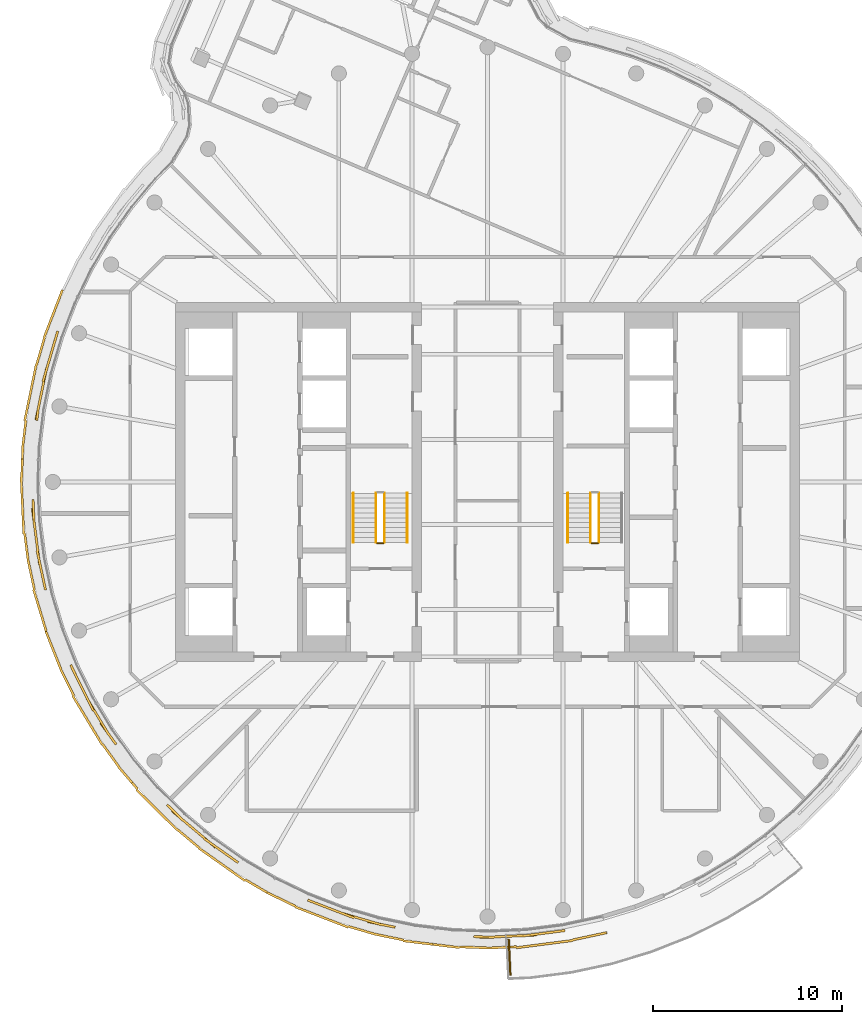
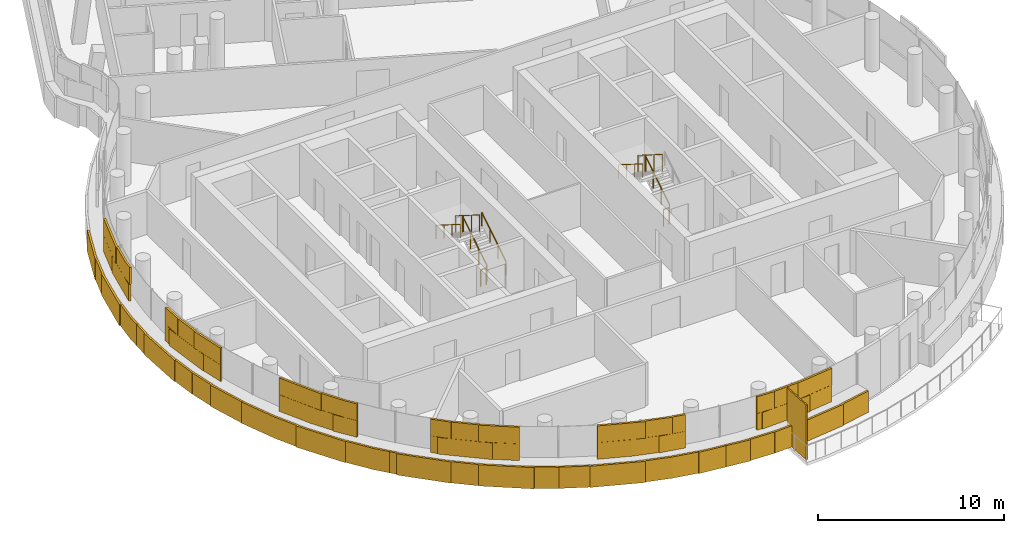
# One storey, part 16 of 20: 9 railings, 6 coverings, 1 shading device.
"""IFC4 building model written with IfcOpenShell, lengths in metres."""

from ifc_helpers import new_model, si_unit, direction, frame, origin, origin_2d, place, context, subcontext, project, spatial, rectangle, circle, extrude, material, layer, layer_set, type_object, element, save


model = new_model("IFC4")

# Units and contexts
model_context = context("Model", 3, precision=1e-05, world=origin(), true_north=direction((0.0, 1.0)))
body_context = subcontext(model_context, "Body", "Model", "MODEL_VIEW")
ifc_project = project(units=[si_unit("LENGTHUNIT", "METRE"), si_unit("AREAUNIT", "SQUARE_METRE"), si_unit("VOLUMEUNIT", "CUBIC_METRE"), si_unit("PLANEANGLEUNIT", "RADIAN"), si_unit("MASSUNIT", "GRAM", prefix="KILO")], contexts=[model_context])

# Site, building, storey
site_placement = place(None, origin())
site = spatial("IfcSite", under=ifc_project, at=site_placement, CompositionType="ELEMENT")
building_placement = place(site_placement, origin())
building = spatial("IfcBuilding", under=site, at=building_placement, Name="Tamarind Cross Interchange Tower", CompositionType="ELEMENT")
storey_placement = place(building_placement, frame((0.0, 0.0, 274.800048828125)))
storey = spatial("IfcBuildingStorey", under=building, at=storey_placement, Name="L70", CompositionType="ELEMENT", Elevation=274.800048828125)

# Shading device
ifc_material_1 = material(Name="Bronze-finish aluminium louvre", Category="aluminium")
ifc_layer_1 = layer(ifc_material_1, 0.080078125)
ifc_layer_set_1 = layer_set([ifc_layer_1], Name="Bronze-finish aluminium louvre")
shading_device_type = type_object("IfcShadingDeviceType", Name="Operable louvre bay", PredefinedType="JALOUSIE", material=ifc_layer_set_1)
shading_device_placement = place(storey_placement, origin())
element("IfcShadingDevice", 1, at=shading_device_placement, inside=storey, type_object=shading_device_type, Name="LVR-L70-BAL01", PredefinedType="JALOUSIE", context=body_context, shape_type="SweptSolid", body=[
    extrude(rectangle(XDim=1.89990234375, YDim=0.080078125, at=origin_2d()), frame((1.164794921875, -25.1484375, 0.0), z_axis=(0.0, 0.0, 1.0), x_axis=(0.045624486728, -0.998958660912, 0.0)), (0.0, 0.0, 1.0), 3.60009765625),
])

# Railings
ifc_material_2 = material(Name="Stair guard")
railing_type_1 = type_object("IfcRailingType", Name="Stair guard", PredefinedType="GUARDRAIL", material=ifc_material_2)
railing_1_placement = place(storey_placement, frame((-5.449951171875, -3.199951171875, 0.16357421875)))
element("IfcRailing", 2, at=railing_1_placement, inside=storey, type_object=railing_type_1, Name="L70 ST1 stair guard 1", PredefinedType="GUARDRAIL", context=body_context, shape_type="SweptSolid", body=[
    extrude(circle(Radius=0.02392578125, at=origin_2d()), frame((0.0, 0.0, 1.076171875), z_axis=(0.0, 0.846301844409, 0.532703658848), x_axis=(-1.0, 0.0, 0.0)), (0.0, 0.0, 1.0), 3.072021484375),
    extrude(circle(Radius=0.02099609375, at=origin_2d()), origin(), (0.0, 0.0, 1.0), 1.052001953125),
    extrude(circle(Radius=0.02099609375, at=origin_2d()), frame((0.0, 0.86669921875, 0.54541015625)), (0.0, 0.0, 1.0), 1.052001953125),
    extrude(circle(Radius=0.02099609375, at=origin_2d()), frame((0.0, 1.733154296875, 1.091064453125)), (0.0, 0.0, 1.0), 1.052001953125),
    extrude(circle(Radius=0.02099609375, at=origin_2d()), frame((0.0, 2.599853515625, 1.636474609375)), (0.0, 0.0, 1.0), 1.052001953125),
])
railing_2_placement = place(storey_placement, frame((-5.89990234375, -0.60009765625, 1.963623046875)))
element("IfcRailing", 3, at=railing_2_placement, inside=storey, type_object=railing_type_1, Name="L70 ST1 stair guard 3", PredefinedType="GUARDRAIL", context=body_context, shape_type="SweptSolid", body=[
    extrude(circle(Radius=0.02392578125, at=origin_2d()), frame((0.0, 0.0, 1.076171875), z_axis=(0.0, -0.846337672412, 0.532646734952), x_axis=(1.0, 0.0, 0.0)), (0.0, 0.0, 1.0), 3.07177734375),
    extrude(circle(Radius=0.02099609375, at=origin_2d()), origin(), (0.0, 0.0, 1.0), 1.052001953125),
    extrude(circle(Radius=0.02099609375, at=origin_2d()), frame((0.0, -0.86669921875, 0.54541015625)), (0.0, 0.0, 1.0), 1.052001953125),
    extrude(circle(Radius=0.02099609375, at=origin_2d()), frame((0.0, -1.733154296875, 1.0908203125)), (0.0, 0.0, 1.0), 1.052001953125),
    extrude(circle(Radius=0.02099609375, at=origin_2d()), frame((0.0, -2.599853515625, 1.63623046875)), (0.0, 0.0, 1.0), 1.052001953125),
])
railing_3_placement = place(storey_placement, frame((-5.5, -3.25, 0.0)))
element("IfcRailing", 4, at=railing_3_placement, inside=storey, type_object=railing_type_1, Name="L70 ST1 stair guard 4", PredefinedType="GUARDRAIL", context=body_context, shape_type="SweptSolid", body=[
    extrude(circle(Radius=0.02392578125, at=origin_2d()), frame((0.0, 0.0, 1.076171875), z_axis=(-1.0, 0.0, 0.0), x_axis=(0.0, -1.0, 0.0)), (0.0, 0.0, 1.0), 0.35009765625),
    extrude(circle(Radius=0.02099609375, at=origin_2d()), origin(), (0.0, 0.0, 1.0), 1.052001953125),
    extrude(circle(Radius=0.02099609375, at=origin_2d()), frame((-0.35009765625, 0.0, 0.0)), (0.0, 0.0, 1.0), 1.052001953125),
])
railing_4_placement = place(storey_placement, frame((5.89990234375, -3.199951171875, 0.16357421875)))
element("IfcRailing", 5, at=railing_4_placement, inside=storey, type_object=railing_type_1, Name="L70 ST2 stair guard 1", PredefinedType="GUARDRAIL", context=body_context, shape_type="SweptSolid", body=[
    extrude(circle(Radius=0.02392578125, at=origin_2d()), frame((0.0, 0.0, 1.076171875), z_axis=(0.0, 0.846301844409, 0.532703658848), x_axis=(-1.0, 0.0, 0.0)), (0.0, 0.0, 1.0), 3.072021484375),
    extrude(circle(Radius=0.02099609375, at=origin_2d()), origin(), (0.0, 0.0, 1.0), 1.052001953125),
    extrude(circle(Radius=0.02099609375, at=origin_2d()), frame((0.0, 0.86669921875, 0.54541015625)), (0.0, 0.0, 1.0), 1.052001953125),
    extrude(circle(Radius=0.02099609375, at=origin_2d()), frame((0.0, 1.733154296875, 1.091064453125)), (0.0, 0.0, 1.0), 1.052001953125),
    extrude(circle(Radius=0.02099609375, at=origin_2d()), frame((0.0, 2.599853515625, 1.636474609375)), (0.0, 0.0, 1.0), 1.052001953125),
])
railing_5_placement = place(storey_placement, frame((5.449951171875, -0.60009765625, 1.963623046875)))
element("IfcRailing", 6, at=railing_5_placement, inside=storey, type_object=railing_type_1, Name="L70 ST2 stair guard 3", PredefinedType="GUARDRAIL", context=body_context, shape_type="SweptSolid", body=[
    extrude(circle(Radius=0.02392578125, at=origin_2d()), frame((0.0, 0.0, 1.076171875), z_axis=(0.0, -0.846337672412, 0.532646734952), x_axis=(1.0, 0.0, 0.0)), (0.0, 0.0, 1.0), 3.07177734375),
    extrude(circle(Radius=0.02099609375, at=origin_2d()), origin(), (0.0, 0.0, 1.0), 1.052001953125),
    extrude(circle(Radius=0.02099609375, at=origin_2d()), frame((0.0, -0.86669921875, 0.54541015625)), (0.0, 0.0, 1.0), 1.052001953125),
    extrude(circle(Radius=0.02099609375, at=origin_2d()), frame((0.0, -1.733154296875, 1.0908203125)), (0.0, 0.0, 1.0), 1.052001953125),
    extrude(circle(Radius=0.02099609375, at=origin_2d()), frame((0.0, -2.599853515625, 1.63623046875)), (0.0, 0.0, 1.0), 1.052001953125),
])
railing_6_placement = place(storey_placement, frame((5.85009765625, -3.25, 0.0)))
element("IfcRailing", 7, at=railing_6_placement, inside=storey, type_object=railing_type_1, Name="L70 ST2 stair guard 4", PredefinedType="GUARDRAIL", context=body_context, shape_type="SweptSolid", body=[
    extrude(circle(Radius=0.02392578125, at=origin_2d()), frame((0.0, 0.0, 1.076171875), z_axis=(-1.0, 0.0, 0.0), x_axis=(0.0, -1.0, 0.0)), (0.0, 0.0, 1.0), 0.35009765625),
    extrude(circle(Radius=0.02099609375, at=origin_2d()), origin(), (0.0, 0.0, 1.0), 1.052001953125),
    extrude(circle(Radius=0.02099609375, at=origin_2d()), frame((-0.35009765625, 0.0, 0.0)), (0.0, 0.0, 1.0), 1.052001953125),
])
ifc_material_3 = material(Name="Stair handrail")
railing_type_2 = type_object("IfcRailingType", Name="Stair handrail", PredefinedType="HANDRAIL", material=ifc_material_3)
railing_7_placement = place(storey_placement, frame((-4.25, -3.199951171875, 0.16357421875)))
element("IfcRailing", 8, at=railing_7_placement, inside=storey, type_object=railing_type_2, Name="L70 ST1 stair handrail 1", PredefinedType="HANDRAIL", context=body_context, shape_type="SweptSolid", body=[
    extrude(circle(Radius=0.02392578125, at=origin_2d()), frame((0.0, 0.0, 0.8759765625), z_axis=(0.0, 0.846301844409, 0.532703658848), x_axis=(-1.0, 0.0, 0.0)), (0.0, 0.0, 1.0), 3.072021484375),
    extrude(circle(Radius=0.02099609375, at=origin_2d()), origin(), (0.0, 0.0, 1.0), 0.851806640625),
    extrude(circle(Radius=0.02099609375, at=origin_2d()), frame((0.0, 0.86669921875, 0.54541015625)), (0.0, 0.0, 1.0), 0.851806640625),
    extrude(circle(Radius=0.02099609375, at=origin_2d()), frame((0.0, 1.733154296875, 1.091064453125)), (0.0, 0.0, 1.0), 0.851806640625),
    extrude(circle(Radius=0.02099609375, at=origin_2d()), frame((0.0, 2.599853515625, 1.636474609375)), (0.0, 0.0, 1.0), 0.851806640625),
])
for number, where, name in (
    (9, (-7.10009765625, -0.60009765625, 1.963623046875), "L70 ST1 stair handrail 2"),
    (10, (4.25, -0.60009765625, 1.963623046875), "L70 ST2 stair handrail 2"),
):
    element("IfcRailing", number, at=place(storey_placement, frame(where)), inside=storey, type_object=railing_type_2, Name=name, PredefinedType="HANDRAIL", context=body_context, shape_type="SweptSolid", body=[
        extrude(circle(Radius=0.02392578125, at=origin_2d()), frame((0.0, 0.0, 0.8759765625), z_axis=(0.0, -0.846337672412, 0.532646734952), x_axis=(1.0, 0.0, 0.0)), (0.0, 0.0, 1.0), 3.07177734375),
        extrude(circle(Radius=0.02099609375, at=origin_2d()), origin(), (0.0, 0.0, 1.0), 0.851806640625),
        extrude(circle(Radius=0.02099609375, at=origin_2d()), frame((0.0, -0.86669921875, 0.54541015625)), (0.0, 0.0, 1.0), 0.851806640625),
        extrude(circle(Radius=0.02099609375, at=origin_2d()), frame((0.0, -1.733154296875, 1.0908203125)), (0.0, 0.0, 1.0), 0.851806640625),
        extrude(circle(Radius=0.02099609375, at=origin_2d()), frame((0.0, -2.599853515625, 1.63623046875)), (0.0, 0.0, 1.0), 0.851806640625),
    ])

# Coverings
ifc_material_4 = material(Name="Terracotta", Category="masonry")
ifc_layer_2 = layer(ifc_material_4, 0.1201171875)
ifc_layer_set_2 = layer_set([ifc_layer_2], Name="Terracotta")
covering_type = type_object("IfcCoveringType", Name="Terracotta baguette screen unit", PredefinedType="MOLDING", material=ifc_layer_set_2)
covering_1_placement = place(storey_placement, origin())
element("IfcCovering", 11, at=covering_1_placement, inside=storey, type_object=covering_type, Name="SCR-L70-01-02", PredefinedType="MOLDING", context=body_context, shape_type="SweptSolid", body=[
    extrude(rectangle(XDim=0.539306640625, YDim=0.1201171875, at=origin_2d()), frame((-22.816162109375, 7.71630859375, 1.40380859375), z_axis=(0.0, 0.0, 1.0), x_axis=(-0.281208920763, -0.95964657186, 0.0)), (0.0, 0.0, 1.0), 1.092041015625),
    extrude(rectangle(XDim=1.52001953125, YDim=0.1201171875, at=origin_2d()), frame((-23.1015625, 6.74267578125, 1.40380859375), z_axis=(0.0, 0.0, 1.0), x_axis=(-0.281208920763, -0.95964657186, 0.0)), (0.0, 0.0, 1.0), 1.092041015625),
    extrude(rectangle(XDim=1.52001953125, YDim=0.1201171875, at=origin_2d()), frame((-23.48095703125, 5.292724609375, 1.40380859375), z_axis=(0.0, 0.0, 1.0), x_axis=(-0.201001463943, -0.9795909409, 0.0)), (0.0, 0.0, 1.0), 1.092041015625),
    extrude(rectangle(XDim=1.323486328125, YDim=0.1201171875, at=origin_2d()), frame((-23.763671875, 3.914794921875, 1.40380859375), z_axis=(0.0, 0.0, 1.0), x_axis=(-0.201001463943, -0.9795909409, 0.0)), (0.0, 0.0, 1.0), 1.092041015625),
    extrude(rectangle(XDim=1.289306640625, YDim=0.1201171875, at=origin_2d()), frame((-22.921630859375, 7.3564453125, 2.50390625), z_axis=(0.0, 0.0, 1.0), x_axis=(-0.281208920763, -0.95964657186, 0.0)), (0.0, 0.0, 1.0), 1.092041015625),
    extrude(rectangle(XDim=1.52001953125, YDim=0.1201171875, at=origin_2d()), frame((-23.3125, 6.02294921875, 2.50390625), z_axis=(0.0, 0.0, 1.0), x_axis=(-0.281208920763, -0.95964657186, 0.0)), (0.0, 0.0, 1.0), 1.092041015625),
    extrude(rectangle(XDim=1.52001953125, YDim=0.1201171875, at=origin_2d()), frame((-23.631591796875, 4.55810546875, 2.50390625), z_axis=(0.0, 0.0, 1.0), x_axis=(-0.201001463943, -0.9795909409, 0.0)), (0.0, 0.0, 1.0), 1.092041015625),
    extrude(rectangle(XDim=0.573486328125, YDim=0.1201171875, at=origin_2d()), frame((-23.812744140625, 3.54296875, 2.50390625), z_axis=(0.0, 0.0, 1.0), x_axis=(-0.119420963295, -0.992843710523, 0.0)), (0.0, 0.0, 1.0), 1.092041015625),
    extrude(rectangle(XDim=1.22216796875, YDim=0.1201171875, at=origin_2d()), frame((-22.710205078125, 9.589599609375, 0.00390625), z_axis=(0.0, 0.0, 1.0), x_axis=(-0.359495435512, -0.933146843667, 0.0)), (0.0, 0.0, 1.0), 1.39208984375),
    extrude(rectangle(XDim=1.52001953125, YDim=0.1201171875, at=origin_2d()), frame((-23.196044921875, 8.328857421875, 0.00390625), z_axis=(0.0, 0.0, 1.0), x_axis=(-0.359495435512, -0.933146843667, 0.0)), (0.0, 0.0, 1.0), 1.39208984375),
    extrude(rectangle(XDim=1.52001953125, YDim=0.1201171875, at=origin_2d()), frame((-23.6533203125, 6.9013671875, 0.00390625), z_axis=(0.0, 0.0, 1.0), x_axis=(-0.281208920763, -0.95964657186, 0.0)), (0.0, 0.0, 1.0), 1.39208984375),
    extrude(rectangle(XDim=1.52001953125, YDim=0.1201171875, at=origin_2d()), frame((-24.0341796875, 5.45166015625, 0.00390625), z_axis=(0.0, 0.0, 1.0), x_axis=(-0.201001463943, -0.9795909409, 0.0)), (0.0, 0.0, 1.0), 1.39208984375),
    extrude(rectangle(XDim=1.52001953125, YDim=0.1201171875, at=origin_2d()), frame((-24.335693359375, 3.982421875, 0.00390625), z_axis=(0.0, 0.0, 1.0), x_axis=(-0.201001463943, -0.9795909409, 0.0)), (0.0, 0.0, 1.0), 1.39208984375),
    extrude(rectangle(XDim=1.52001953125, YDim=0.1201171875, at=origin_2d()), frame((-24.51708984375, 2.493408203125, 0.00390625), z_axis=(0.0, 0.0, 1.0), x_axis=(-0.119420963295, -0.992843710523, 0.0)), (0.0, 0.0, 1.0), 1.39208984375),
    extrude(rectangle(XDim=0.55615234375, YDim=0.1201171875, at=origin_2d()), frame((-24.6015625, 1.479736328125, 0.00390625), z_axis=(0.0, 0.0, 1.0), x_axis=(-0.037024696392, -0.999314350871, 0.0)), (0.0, 0.0, 1.0), 1.39208984375),
])
covering_2_placement = place(storey_placement, origin())
element("IfcCovering", 12, at=covering_2_placement, inside=storey, type_object=covering_type, Name="SCR-L70-01-03", PredefinedType="MOLDING", context=body_context, shape_type="SweptSolid", body=[
    extrude(rectangle(XDim=0.49658203125, YDim=0.1201171875, at=origin_2d()), frame((-24.037109375, -1.16748046875, 1.40380859375), z_axis=(0.0, 0.0, 1.0), x_axis=(0.045624486728, -0.998958660912, 0.0)), (0.0, 0.0, 1.0), 1.092041015625),
    extrude(rectangle(XDim=1.52001953125, YDim=0.1201171875, at=origin_2d()), frame((-23.986328125, -2.1591796875, 1.40380859375), z_axis=(0.0, 0.0, 1.0), x_axis=(0.127962008342, -0.991779070368, 0.0)), (0.0, 0.0, 1.0), 1.092041015625),
    extrude(rectangle(XDim=1.52001953125, YDim=0.1201171875, at=origin_2d()), frame((-23.79443359375, -3.64697265625, 1.40380859375), z_axis=(0.0, 0.0, 1.0), x_axis=(0.127962008342, -0.991779070368, 0.0)), (0.0, 0.0, 1.0), 1.092041015625),
    extrude(rectangle(XDim=1.36669921875, YDim=0.1201171875, at=origin_2d()), frame((-23.52978515625, -5.049560546875, 1.40380859375), z_axis=(0.0, 0.0, 1.0), x_axis=(0.209425419705, -0.977824623121, 0.0)), (0.0, 0.0, 1.0), 1.092041015625),
    extrude(rectangle(XDim=1.24658203125, YDim=0.1201171875, at=origin_2d()), frame((-24.02001953125, -1.5419921875, 2.50390625), z_axis=(0.0, 0.0, 1.0), x_axis=(0.045624486728, -0.998958660912, 0.0)), (0.0, 0.0, 1.0), 1.092041015625),
    extrude(rectangle(XDim=1.52001953125, YDim=0.1201171875, at=origin_2d()), frame((-23.890380859375, -2.903076171875, 2.50390625), z_axis=(0.0, 0.0, 1.0), x_axis=(0.127962008342, -0.991779070368, 0.0)), (0.0, 0.0, 1.0), 1.092041015625),
    extrude(rectangle(XDim=1.52001953125, YDim=0.1201171875, at=origin_2d()), frame((-23.671875, -4.38623046875, 2.50390625), z_axis=(0.0, 0.0, 1.0), x_axis=(0.209425419705, -0.977824623121, 0.0)), (0.0, 0.0, 1.0), 1.092041015625),
    extrude(rectangle(XDim=0.61669921875, YDim=0.1201171875, at=origin_2d()), frame((-23.451171875, -5.416259765625, 2.50390625), z_axis=(0.0, 0.0, 1.0), x_axis=(0.209425419705, -0.977824623121, 0.0)), (0.0, 0.0, 1.0), 1.092041015625),
    extrude(rectangle(XDim=0.9638671875, YDim=0.1201171875, at=origin_2d()), frame((-24.629638671875, 0.72021484375, 0.00390625), z_axis=(0.0, 0.0, 1.0), x_axis=(-0.037024696392, -0.999314350871, 0.0)), (0.0, 0.0, 1.0), 1.39208984375),
    extrude(rectangle(XDim=1.52001953125, YDim=0.1201171875, at=origin_2d()), frame((-24.642333984375, -0.500732421875, 0.00390625), z_axis=(0.0, 0.0, 1.0), x_axis=(0.045624486728, -0.998958660912, 0.0)), (0.0, 0.0, 1.0), 1.39208984375),
    extrude(rectangle(XDim=1.52001953125, YDim=0.1201171875, at=origin_2d()), frame((-24.57373046875, -1.9990234375, 0.00390625), z_axis=(0.0, 0.0, 1.0), x_axis=(0.045624486728, -0.998958660912, 0.0)), (0.0, 0.0, 1.0), 1.39208984375),
    extrude(rectangle(XDim=1.52001953125, YDim=0.1201171875, at=origin_2d()), frame((-24.393798828125, -3.48779296875, 0.00390625), z_axis=(0.0, 0.0, 1.0), x_axis=(0.127962008342, -0.991779070368, 0.0)), (0.0, 0.0, 1.0), 1.39208984375),
    extrude(rectangle(XDim=1.52001953125, YDim=0.1201171875, at=origin_2d()), frame((-24.135009765625, -4.964111328125, 0.00390625), z_axis=(0.0, 0.0, 1.0), x_axis=(0.209425419705, -0.977824623121, 0.0)), (0.0, 0.0, 1.0), 1.39208984375),
    extrude(rectangle(XDim=1.52001953125, YDim=0.1201171875, at=origin_2d()), frame((-23.798583984375, -6.425048828125, 0.00390625), z_axis=(0.0, 0.0, 1.0), x_axis=(0.289458243079, -0.957190642199, 0.0)), (0.0, 0.0, 1.0), 1.39208984375),
    extrude(rectangle(XDim=0.815185546875, YDim=0.1201171875, at=origin_2d()), frame((-23.46630859375, -7.5234375, 0.00390625), z_axis=(0.0, 0.0, 1.0), x_axis=(0.289458243079, -0.957190642199, 0.0)), (0.0, 0.0, 1.0), 1.39208984375),
])
covering_3_placement = place(storey_placement, origin())
element("IfcCovering", 13, at=covering_3_placement, inside=storey, type_object=covering_type, Name="SCR-L70-01-04", PredefinedType="MOLDING", context=body_context, shape_type="SweptSolid", body=[
    extrude(rectangle(XDim=0.453369140625, YDim=0.1201171875, at=origin_2d()), frame((-21.95654296875, -9.889404296875, 1.40380859375), z_axis=(0.0, 0.0, 1.0), x_axis=(0.443058811505, -0.896492548518, 0.0)), (0.0, 0.0, 1.0), 1.092041015625),
    extrude(rectangle(XDim=1.52001953125, YDim=0.1201171875, at=origin_2d()), frame((-21.526123046875, -10.760498046875, 1.40380859375), z_axis=(0.0, 0.0, 1.0), x_axis=(0.443058811505, -0.896492548518, 0.0)), (0.0, 0.0, 1.0), 1.092041015625),
    extrude(rectangle(XDim=1.52001953125, YDim=0.1201171875, at=origin_2d()), frame((-20.81689453125, -12.080810546875, 1.40380859375), z_axis=(0.0, 0.0, 1.0), x_axis=(0.515577308909, -0.856843065292, 0.0)), (0.0, 0.0, 1.0), 1.092041015625),
    extrude(rectangle(XDim=1.409423828125, YDim=0.1201171875, at=origin_2d()), frame((-20.064453125, -13.319580078125, 1.40380859375), z_axis=(0.0, 0.0, 1.0), x_axis=(0.584573890505, -0.811340475102, 0.0)), (0.0, 0.0, 1.0), 1.092041015625),
    extrude(rectangle(XDim=1.203369140625, YDim=0.1201171875, at=origin_2d()), frame((-21.79052734375, -10.2255859375, 2.50390625), z_axis=(0.0, 0.0, 1.0), x_axis=(0.443058811505, -0.896492548518, 0.0)), (0.0, 0.0, 1.0), 1.092041015625),
    extrude(rectangle(XDim=1.52001953125, YDim=0.1201171875, at=origin_2d()), frame((-21.19384765625, -11.432861328125, 2.50390625), z_axis=(0.0, 0.0, 1.0), x_axis=(0.443058811505, -0.896492548518, 0.0)), (0.0, 0.0, 1.0), 1.092041015625),
    extrude(rectangle(XDim=1.52001953125, YDim=0.1201171875, at=origin_2d()), frame((-20.43017578125, -12.723388671875, 2.50390625), z_axis=(0.0, 0.0, 1.0), x_axis=(0.515577308909, -0.856843065292, 0.0)), (0.0, 0.0, 1.0), 1.092041015625),
    extrude(rectangle(XDim=0.659423828125, YDim=0.1201171875, at=origin_2d()), frame((-19.84521484375, -13.6240234375, 2.50390625), z_axis=(0.0, 0.0, 1.0), x_axis=(0.584573890505, -0.811340475102, 0.0)), (0.0, 0.0, 1.0), 1.092041015625),
    extrude(rectangle(XDim=0.704833984375, YDim=0.1201171875, at=origin_2d()), frame((-23.234619140625, -8.246826171875, 0.00390625), z_axis=(0.0, 0.0, 1.0), x_axis=(0.367513773146, -0.930018078613, 0.0)), (0.0, 0.0, 1.0), 1.39208984375),
    extrude(rectangle(XDim=1.52001953125, YDim=0.1201171875, at=origin_2d()), frame((-22.833251953125, -9.262939453125, 0.00390625), z_axis=(0.0, 0.0, 1.0), x_axis=(0.367513773146, -0.930018078613, 0.0)), (0.0, 0.0, 1.0), 1.39208984375),
    extrude(rectangle(XDim=1.52001953125, YDim=0.1201171875, at=origin_2d()), frame((-22.228759765625, -10.63427734375, 0.00390625), z_axis=(0.0, 0.0, 1.0), x_axis=(0.443058811505, -0.896492548518, 0.0)), (0.0, 0.0, 1.0), 1.39208984375),
    extrude(rectangle(XDim=1.52001953125, YDim=0.1201171875, at=origin_2d()), frame((-21.552001953125, -11.972412109375, 0.00390625), z_axis=(0.0, 0.0, 1.0), x_axis=(0.515577308909, -0.856843065292, 0.0)), (0.0, 0.0, 1.0), 1.39208984375),
    extrude(rectangle(XDim=1.52001953125, YDim=0.1201171875, at=origin_2d()), frame((-20.77880859375, -13.2578125, 0.00390625), z_axis=(0.0, 0.0, 1.0), x_axis=(0.515577308909, -0.856843065292, 0.0)), (0.0, 0.0, 1.0), 1.39208984375),
    extrude(rectangle(XDim=1.52001953125, YDim=0.1201171875, at=origin_2d()), frame((-19.927490234375, -14.49169921875, 0.00390625), z_axis=(0.0, 0.0, 1.0), x_axis=(0.584573890505, -0.811340475102, 0.0)), (0.0, 0.0, 1.0), 1.39208984375),
    extrude(rectangle(XDim=1.073486328125, YDim=0.1201171875, at=origin_2d()), frame((-19.157470703125, -15.5087890625, 0.00390625), z_axis=(0.0, 0.0, 1.0), x_axis=(0.64957723968, -0.760295606781, 0.0)), (0.0, 0.0, 1.0), 1.39208984375),
])
covering_4_placement = place(storey_placement, origin())
element("IfcCovering", 14, at=covering_4_placement, inside=storey, type_object=covering_type, Name="SCR-L70-01-05", PredefinedType="MOLDING", context=body_context, shape_type="SweptSolid", body=[
    extrude(rectangle(XDim=0.41064453125, YDim=0.1201171875, at=origin_2d()), frame((-16.80419921875, -17.22802734375, 1.40380859375), z_axis=(0.0, 0.0, 1.0), x_axis=(0.710143317658, -0.704057148523, 0.0)), (0.0, 0.0, 1.0), 1.092041015625),
    extrude(rectangle(XDim=1.52001953125, YDim=0.1201171875, at=origin_2d()), frame((-16.120849609375, -17.887939453125, 1.40380859375), z_axis=(0.0, 0.0, 1.0), x_axis=(0.765858396687, -0.643009266048, 0.0)), (0.0, 0.0, 1.0), 1.092041015625),
    extrude(rectangle(XDim=1.52001953125, YDim=0.1201171875, at=origin_2d()), frame((-14.97216796875, -18.852294921875, 1.40380859375), z_axis=(0.0, 0.0, 1.0), x_axis=(0.765858396687, -0.643009266048, 0.0)), (0.0, 0.0, 1.0), 1.092041015625),
    extrude(rectangle(XDim=1.45263671875, YDim=0.1201171875, at=origin_2d()), frame((-13.7880859375, -19.724365234375, 1.40380859375), z_axis=(0.0, 0.0, 1.0), x_axis=(0.816341886298, -0.577568978284, 0.0)), (0.0, 0.0, 1.0), 1.092041015625),
    extrude(rectangle(XDim=1.16064453125, YDim=0.1201171875, at=origin_2d()), frame((-16.537841796875, -17.4921875, 2.50390625), z_axis=(0.0, 0.0, 1.0), x_axis=(0.710143317658, -0.704057148523, 0.0)), (0.0, 0.0, 1.0), 1.092041015625),
    extrude(rectangle(XDim=1.52001953125, YDim=0.1201171875, at=origin_2d()), frame((-15.54638671875, -18.3701171875, 2.50390625), z_axis=(0.0, 0.0, 1.0), x_axis=(0.765858396687, -0.643009266048, 0.0)), (0.0, 0.0, 1.0), 1.092041015625),
    extrude(rectangle(XDim=1.52001953125, YDim=0.1201171875, at=origin_2d()), frame((-14.376953125, -19.307861328125, 2.50390625), z_axis=(0.0, 0.0, 1.0), x_axis=(0.816341886298, -0.577568978284, 0.0)), (0.0, 0.0, 1.0), 1.092041015625),
    extrude(rectangle(XDim=0.70263671875, YDim=0.1201171875, at=origin_2d()), frame((-13.48193359375, -19.94091796875, 2.50390625), z_axis=(0.0, 0.0, 1.0), x_axis=(0.816341886298, -0.577568978284, 0.0)), (0.0, 0.0, 1.0), 1.092041015625),
    extrude(rectangle(XDim=0.446533203125, YDim=0.1201171875, at=origin_2d()), frame((-18.66357421875, -16.086669921875, 0.00390625), z_axis=(0.0, 0.0, 1.0), x_axis=(0.64957723968, -0.760295606781, 0.0)), (0.0, 0.0, 1.0), 1.39208984375),
    extrude(rectangle(XDim=1.52001953125, YDim=0.1201171875, at=origin_2d()), frame((-18.034912109375, -16.816162109375, 0.00390625), z_axis=(0.0, 0.0, 1.0), x_axis=(0.710143317658, -0.704057148523, 0.0)), (0.0, 0.0, 1.0), 1.39208984375),
    extrude(rectangle(XDim=1.52001953125, YDim=0.1201171875, at=origin_2d()), frame((-16.9697265625, -17.872314453125, 0.00390625), z_axis=(0.0, 0.0, 1.0), x_axis=(0.710143317658, -0.704057148523, 0.0)), (0.0, 0.0, 1.0), 1.39208984375),
    extrude(rectangle(XDim=1.52001953125, YDim=0.1201171875, at=origin_2d()), frame((-15.847900390625, -18.866455078125, 0.00390625), z_axis=(0.0, 0.0, 1.0), x_axis=(0.765858396687, -0.643009266048, 0.0)), (0.0, 0.0, 1.0), 1.39208984375),
    extrude(rectangle(XDim=1.52001953125, YDim=0.1201171875, at=origin_2d()), frame((-14.67529296875, -19.7998046875, 0.00390625), z_axis=(0.0, 0.0, 1.0), x_axis=(0.816341886298, -0.577568978284, 0.0)), (0.0, 0.0, 1.0), 1.39208984375),
    extrude(rectangle(XDim=1.52001953125, YDim=0.1201171875, at=origin_2d()), frame((-13.45068359375, -20.666259765625, 0.00390625), z_axis=(0.0, 0.0, 1.0), x_axis=(0.816341886298, -0.577568978284, 0.0)), (0.0, 0.0, 1.0), 1.39208984375),
    extrude(rectangle(XDim=1.33251953125, YDim=0.1201171875, at=origin_2d()), frame((-12.242431640625, -21.38525390625, 0.00390625), z_axis=(0.0, 0.0, 1.0), x_axis=(0.861248933065, -0.508183308752, 0.0)), (0.0, 0.0, 1.0), 1.39208984375),
])
covering_5_placement = place(storey_placement, origin())
element("IfcCovering", 15, at=covering_5_placement, inside=storey, type_object=covering_type, Name="SCR-L70-01-06", PredefinedType="MOLDING", context=body_context, shape_type="SweptSolid", body=[
    extrude(rectangle(XDim=0.367431640625, YDim=0.1201171875, at=origin_2d()), frame((-9.337890625, -22.192138671875, 1.40380859375), z_axis=(0.0, 0.0, 1.0), x_axis=(0.933146843667, -0.359495435512, 0.0)), (0.0, 0.0, 1.0), 1.092041015625),
    extrude(rectangle(XDim=1.52001953125, YDim=0.1201171875, at=origin_2d()), frame((-8.471435546875, -22.52587890625, 1.40380859375), z_axis=(0.0, 0.0, 1.0), x_axis=(0.933146843667, -0.359495435512, 0.0)), (0.0, 0.0, 1.0), 1.092041015625),
    extrude(rectangle(XDim=1.52001953125, YDim=0.1201171875, at=origin_2d()), frame((-7.05322265625, -23.010498046875, 1.40380859375), z_axis=(0.0, 0.0, 1.0), x_axis=(0.95964657186, -0.281208920763, 0.0)), (0.0, 0.0, 1.0), 1.092041015625),
    extrude(rectangle(XDim=1.495361328125, YDim=0.1201171875, at=origin_2d()), frame((-5.61669921875, -23.414306640625, 1.40380859375), z_axis=(0.0, 0.0, 1.0), x_axis=(0.9795909409, -0.201001463943, 0.0)), (0.0, 0.0, 1.0), 1.092041015625),
    extrude(rectangle(XDim=1.117431640625, YDim=0.1201171875, at=origin_2d()), frame((-8.988037109375, -22.326904296875, 2.50390625), z_axis=(0.0, 0.0, 1.0), x_axis=(0.933146843667, -0.359495435512, 0.0)), (0.0, 0.0, 1.0), 1.092041015625),
    extrude(rectangle(XDim=1.52001953125, YDim=0.1201171875, at=origin_2d()), frame((-7.771484375, -22.795654296875, 2.50390625), z_axis=(0.0, 0.0, 1.0), x_axis=(0.933146843667, -0.359495435512, 0.0)), (0.0, 0.0, 1.0), 1.092041015625),
    extrude(rectangle(XDim=1.52001953125, YDim=0.1201171875, at=origin_2d()), frame((-6.33349609375, -23.221435546875, 2.50390625), z_axis=(0.0, 0.0, 1.0), x_axis=(0.95964657186, -0.281208920763, 0.0)), (0.0, 0.0, 1.0), 1.092041015625),
    extrude(rectangle(XDim=0.745361328125, YDim=0.1201171875, at=origin_2d()), frame((-5.249267578125, -23.48974609375, 2.50390625), z_axis=(0.0, 0.0, 1.0), x_axis=(0.9795909409, -0.201001463943, 0.0)), (0.0, 0.0, 1.0), 1.092041015625),
    extrude(rectangle(XDim=0.1875, YDim=0.1201171875, at=origin_2d()), frame((-11.58544921875, -21.766845703125, 0.00390625), z_axis=(0.0, 0.0, 1.0), x_axis=(0.900272776334, -0.435326231914, 0.0)), (0.0, 0.0, 1.0), 1.39208984375),
    extrude(rectangle(XDim=1.52001953125, YDim=0.1201171875, at=origin_2d()), frame((-10.834716796875, -22.129638671875, 0.00390625), z_axis=(0.0, 0.0, 1.0), x_axis=(0.900272776334, -0.435326231914, 0.0)), (0.0, 0.0, 1.0), 1.39208984375),
    extrude(rectangle(XDim=1.52001953125, YDim=0.1201171875, at=origin_2d()), frame((-9.472412109375, -22.75537109375, 0.00390625), z_axis=(0.0, 0.0, 1.0), x_axis=(0.933146843667, -0.359495435512, 0.0)), (0.0, 0.0, 1.0), 1.39208984375),
    extrude(rectangle(XDim=1.52001953125, YDim=0.1201171875, at=origin_2d()), frame((-8.07275390625, -23.294677734375, 0.00390625), z_axis=(0.0, 0.0, 1.0), x_axis=(0.933146843667, -0.359495435512, 0.0)), (0.0, 0.0, 1.0), 1.39208984375),
    extrude(rectangle(XDim=1.52001953125, YDim=0.1201171875, at=origin_2d()), frame((-6.637939453125, -23.73046875, 0.00390625), z_axis=(0.0, 0.0, 1.0), x_axis=(0.95964657186, -0.281208920763, 0.0)), (0.0, 0.0, 1.0), 1.39208984375),
    extrude(rectangle(XDim=1.52001953125, YDim=0.1201171875, at=origin_2d()), frame((-5.182861328125, -24.08935546875, 0.00390625), z_axis=(0.0, 0.0, 1.0), x_axis=(0.9795909409, -0.201001463943, 0.0)), (0.0, 0.0, 1.0), 1.39208984375),
    extrude(rectangle(XDim=1.52001953125, YDim=0.1201171875, at=origin_2d()), frame((-3.710205078125, -24.370849609375, 0.00390625), z_axis=(0.0, 0.0, 1.0), x_axis=(0.992843710523, -0.119420963295, 0.0)), (0.0, 0.0, 1.0), 1.39208984375),
    extrude(rectangle(XDim=0.0908203125, YDim=0.1201171875, at=origin_2d()), frame((-2.930419921875, -24.464599609375, 0.00390625), z_axis=(0.0, 0.0, 1.0), x_axis=(0.992843710523, -0.119420963295, 0.0)), (0.0, 0.0, 1.0), 1.39208984375),
])
covering_6_placement = place(storey_placement, origin())
element("IfcCovering", 16, at=covering_6_placement, inside=storey, type_object=covering_type, Name="SCR-L70-01-07", PredefinedType="MOLDING", context=body_context, shape_type="SweptSolid", body=[
    extrude(rectangle(XDim=0.32470703125, YDim=0.1201171875, at=origin_2d()), frame((-0.568359375, -24.060791015625, 1.40380859375), z_axis=(0.0, 0.0, 1.0), x_axis=(0.999314350871, -0.037024696392, 0.0)), (0.0, 0.0, 1.0), 1.092041015625),
    extrude(rectangle(XDim=1.52001953125, YDim=0.1201171875, at=origin_2d()), frame((0.338134765625, -24.0751953125, 1.40380859375), z_axis=(0.0, 0.0, 1.0), x_axis=(0.998958660912, 0.045624486728, 0.0)), (0.0, 0.0, 1.0), 1.092041015625),
    extrude(rectangle(XDim=1.52001953125, YDim=0.1201171875, at=origin_2d()), frame((1.836669921875, -24.006591796875, 1.40380859375), z_axis=(0.0, 0.0, 1.0), x_axis=(0.998958660912, 0.045624486728, 0.0)), (0.0, 0.0, 1.0), 1.092041015625),
    extrude(rectangle(XDim=1.52001953125, YDim=0.1201171875, at=origin_2d()), frame((3.326171875, -23.835693359375, 1.40380859375), z_axis=(0.0, 0.0, 1.0), x_axis=(0.991779070368, 0.127962008342, 0.0)), (0.0, 0.0, 1.0), 1.092041015625),
    extrude(rectangle(XDim=1.07470703125, YDim=0.1201171875, at=origin_2d()), frame((-0.193603515625, -24.07470703125, 2.50390625), z_axis=(0.0, 0.0, 1.0), x_axis=(0.999314350871, -0.037024696392, 0.0)), (0.0, 0.0, 1.0), 1.092041015625),
    extrude(rectangle(XDim=1.52001953125, YDim=0.1201171875, at=origin_2d()), frame((1.08740234375, -24.040771484375, 2.50390625), z_axis=(0.0, 0.0, 1.0), x_axis=(0.998958660912, 0.045624486728, 0.0)), (0.0, 0.0, 1.0), 1.092041015625),
    extrude(rectangle(XDim=1.52001953125, YDim=0.1201171875, at=origin_2d()), frame((2.582275390625, -23.931640625, 2.50390625), z_axis=(0.0, 0.0, 1.0), x_axis=(0.991779070368, 0.127962008342, 0.0)), (0.0, 0.0, 1.0), 1.092041015625),
    extrude(rectangle(XDim=0.7880859375, YDim=0.1201171875, at=origin_2d()), frame((3.7119140625, -23.785888671875, 2.50390625), z_axis=(0.0, 0.0, 1.0), x_axis=(0.991779070368, 0.127962008342, 0.0)), (0.0, 0.0, 1.0), 1.092041015625),
    extrude(rectangle(XDim=1.428955078125, YDim=0.1201171875, at=origin_2d()), frame((-2.17578125, -24.555419921875, 0.00390625), z_axis=(0.0, 0.0, 1.0), x_axis=(0.992843710523, -0.119420963295, 0.0)), (0.0, 0.0, 1.0), 1.39208984375),
    extrude(rectangle(XDim=1.52001953125, YDim=0.1201171875, at=origin_2d()), frame((-0.723876953125, -24.629638671875, 0.00390625), z_axis=(0.0, 0.0, 1.0), x_axis=(0.999314350871, -0.037024696392, 0.0)), (0.0, 0.0, 1.0), 1.39208984375),
    extrude(rectangle(XDim=1.52001953125, YDim=0.1201171875, at=origin_2d()), frame((0.77490234375, -24.629638671875, 0.00390625), z_axis=(0.0, 0.0, 1.0), x_axis=(0.998958660912, 0.045624486728, 0.0)), (0.0, 0.0, 1.0), 1.39208984375),
    extrude(rectangle(XDim=1.52001953125, YDim=0.1201171875, at=origin_2d()), frame((2.272216796875, -24.550537109375, 0.00390625), z_axis=(0.0, 0.0, 1.0), x_axis=(0.991779070368, 0.127962008342, 0.0)), (0.0, 0.0, 1.0), 1.39208984375),
    extrude(rectangle(XDim=1.52001953125, YDim=0.1201171875, at=origin_2d()), frame((3.760009765625, -24.358642578125, 0.00390625), z_axis=(0.0, 0.0, 1.0), x_axis=(0.991779070368, 0.127962008342, 0.0)), (0.0, 0.0, 1.0), 1.39208984375),
    extrude(rectangle(XDim=1.52001953125, YDim=0.1201171875, at=origin_2d()), frame((5.232421875, -24.07763671875, 0.00390625), z_axis=(0.0, 0.0, 1.0), x_axis=(0.977824623121, 0.209425419705, 0.0)), (0.0, 0.0, 1.0), 1.39208984375),
    extrude(rectangle(XDim=0.349365234375, YDim=0.1201171875, at=origin_2d()), frame((6.126708984375, -23.885986328125, 0.00390625), z_axis=(0.0, 0.0, 1.0), x_axis=(0.977824623121, 0.209425419705, 0.0)), (0.0, 0.0, 1.0), 1.39208984375),
])

save(model, "model.ifc")
